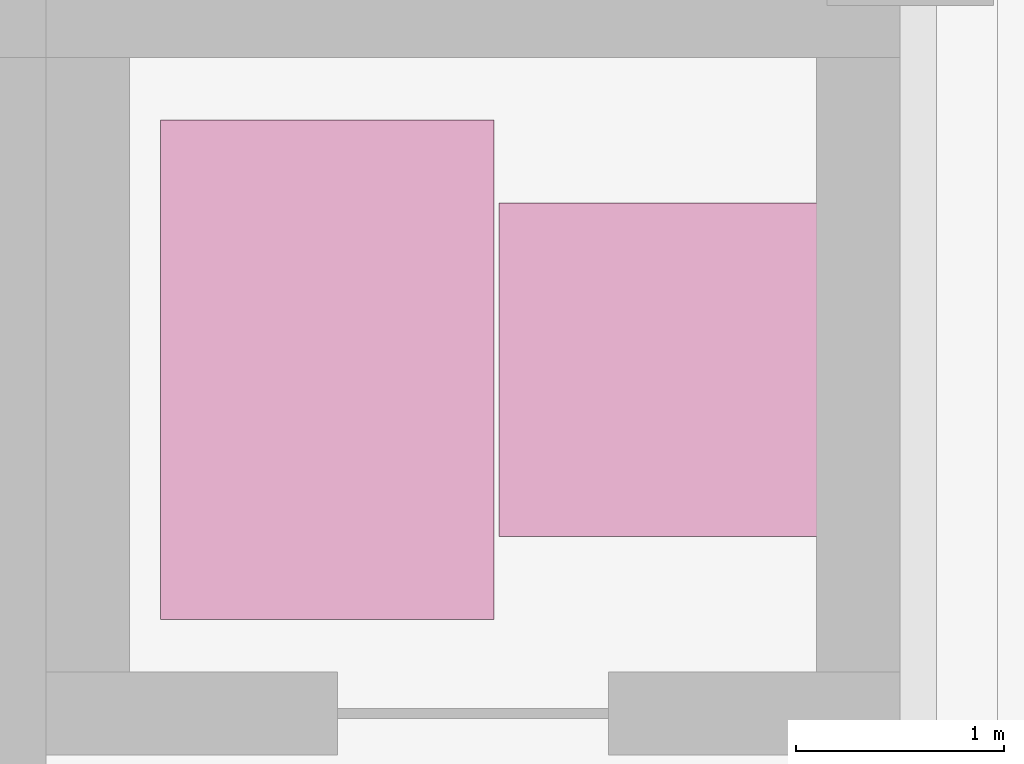
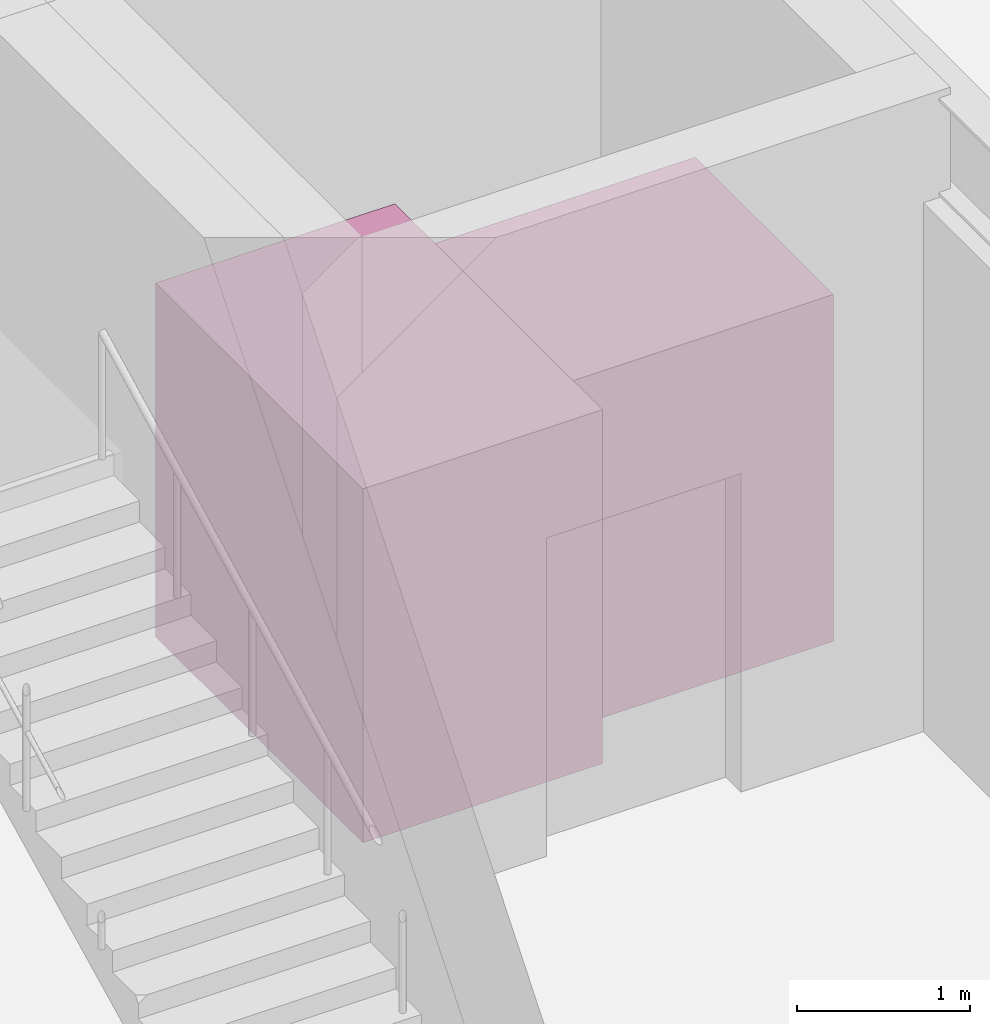
# One storey, part 47 of 47: 2 transport elements.
"""IFC4 building model written with IfcOpenShell, lengths in metres."""

from ifc_helpers import new_model, si_unit, direction, frame, origin, origin_2d, place, context, subcontext, project, spatial, rectangle, extrude, material, type_object, element, save


model = new_model("IFC4")

# Units and contexts
model_context = context("Model", 3, precision=1e-05, world=origin(), true_north=direction((0.0, 1.0)))
body_context = subcontext(model_context, "Body", "Model", "MODEL_VIEW")
ifc_project = project(units=[si_unit("LENGTHUNIT", "METRE"), si_unit("AREAUNIT", "SQUARE_METRE"), si_unit("VOLUMEUNIT", "CUBIC_METRE"), si_unit("PLANEANGLEUNIT", "RADIAN"), si_unit("MASSUNIT", "GRAM", prefix="KILO")], contexts=[model_context])

# Site, building, storey
site_placement = place(None, origin())
site = spatial("IfcSite", under=ifc_project, at=site_placement, CompositionType="ELEMENT")
building_placement = place(site_placement, origin())
building = spatial("IfcBuilding", under=site, at=building_placement, Name="Ventoquebrada Cableway Terminal", CompositionType="ELEMENT")
storey_placement = place(building_placement, origin())
storey = spatial("IfcBuildingStorey", under=building, at=storey_placement, Name="L00", CompositionType="ELEMENT", Elevation=0.0)

# Transport elements
ifc_material = material(Name="Brushed stainless steel Grade 316", Category="steel")
transport_element_type_1 = type_object("IfcTransportElementType", Name="LF-FF01", PredefinedType="ELEVATOR", material=ifc_material)
transport_element_1_placement = place(storey_placement, frame((14.39990234375, 83.85009765625, 0.0), z_axis=(0.0, 0.0, 1.0), x_axis=(1.0, 0.0, 0.0)))
element("IfcTransportElement", 1, at=transport_element_1_placement, inside=storey, type_object=transport_element_type_1, Name="Firefighting and stretcher lift LF-05 (L00-L04)", PredefinedType="ELEVATOR", context=body_context, shape_type="SweptSolid", body=[
    extrude(rectangle(XDim=1.60009765625, YDim=2.39990234375, at=origin_2d()), origin(), (0.0, 0.0, 1.0), 2.5),
])
transport_element_type_2 = type_object("IfcTransportElementType", Name="LF-PS01", PredefinedType="ELEVATOR", material=ifc_material)
transport_element_2_placement = place(storey_placement, frame((16.10009765625, 83.85009765625, 0.0), z_axis=(0.0, 0.0, 1.0), x_axis=(1.0, 0.0, 0.0)))
element("IfcTransportElement", 2, at=transport_element_2_placement, inside=storey, type_object=transport_element_type_2, Name="Belvedere passenger lift LF-06 (L00-L04)", PredefinedType="ELEVATOR", context=body_context, shape_type="SweptSolid", body=[
    extrude(rectangle(XDim=1.75, YDim=1.60009765625, at=origin_2d()), origin(), (0.0, 0.0, 1.0), 2.449951171875),
])

save(model, "model.ifc")
